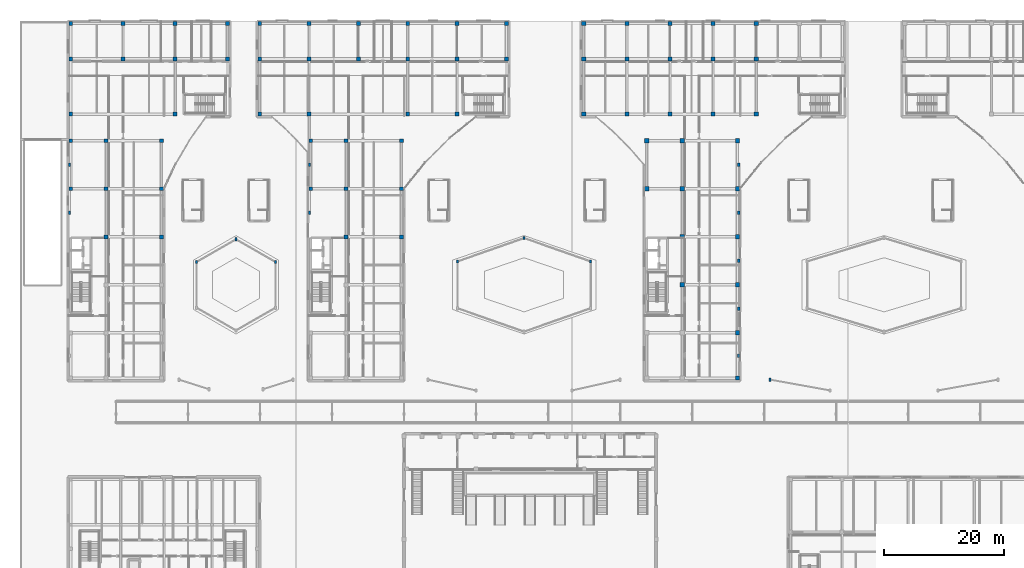
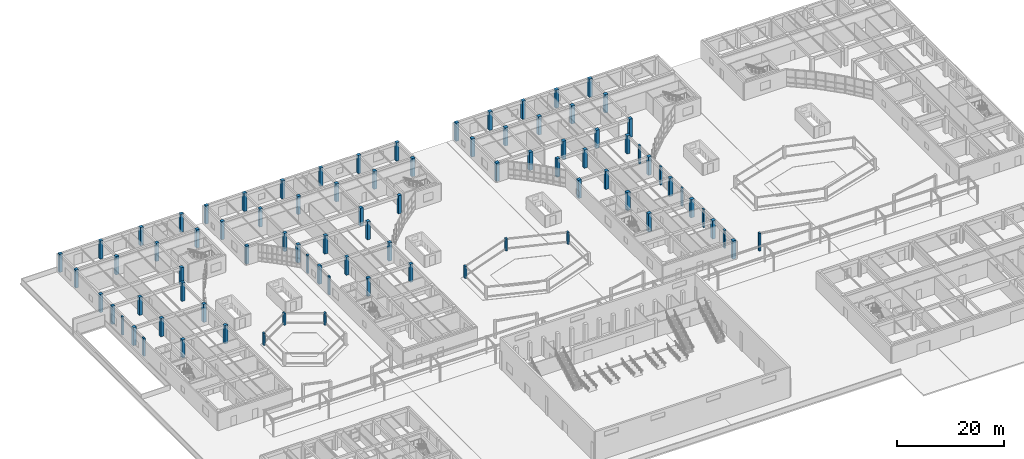
# One storey, part 9 of 114: 85 columns.
"""IFC4 building model written with IfcOpenShell, lengths in metres."""

from ifc_helpers import new_model, si_unit, direction, frame, origin, origin_2d, place, context, subcontext, project, spatial, rectangle, extrude, material, material_profile, profile_set, type_object, element, save


model = new_model("IFC4")

# Units and contexts
model_context = context("Model", 3, precision=1e-05, world=origin(), true_north=direction((0.0, 1.0)))
body_context = subcontext(model_context, "Body", "Model", "MODEL_VIEW")
ifc_project = project(units=[si_unit("LENGTHUNIT", "METRE"), si_unit("AREAUNIT", "SQUARE_METRE"), si_unit("VOLUMEUNIT", "CUBIC_METRE"), si_unit("PLANEANGLEUNIT", "RADIAN"), si_unit("MASSUNIT", "GRAM", prefix="KILO")], contexts=[model_context])

# Site, building, storey
site_placement = place(None, origin())
site = spatial("IfcSite", under=ifc_project, at=site_placement, CompositionType="ELEMENT")
building_placement = place(site_placement, origin())
building = spatial("IfcBuilding", under=site, at=building_placement, Name="Keldmere Railside Commons", CompositionType="ELEMENT")
storey_placement = place(building_placement, origin())
storey = spatial("IfcBuildingStorey", under=building, at=storey_placement, Name="L00", CompositionType="ELEMENT", Elevation=0.0)

# Columns
ifc_material_1 = material(Name="Architectural Precast Concrete H-35 (C35/45)", Category="concrete")
ifc_material_profile_1 = material_profile(ifc_material_1, rectangle(XDim=0.35009765625, YDim=0.550048828125, at=origin_2d()), Name="RC-350x550")
ifc_profile_set_1 = profile_set([ifc_material_profile_1], Name="Architectural Precast Concrete H-35 (C35/45)")
column_type_1 = type_object("IfcColumnType", Name="Facade Precast Pilaster Column 350x550", PredefinedType="PILASTER", material=ifc_profile_set_1)
for number, where, z_axis, x_axis, name in (
    (1, (8.219970703125, 84.0, 0.0), (0.0, 0.0, 1.0), (1.0, 0.0, 0.0), "C-PIL COL-L00-0015"),
    (2, (8.219970703125, 92.0, 0.0), (0.0, 0.0, 1.0), (1.0, 0.0, 0.0), "C-PIL COL-L00-0020"),
):
    element("IfcColumn", number, at=place(storey_placement, frame(where, z_axis=z_axis, x_axis=x_axis)), inside=storey, type_object=column_type_1, Name=name, PredefinedType="PILASTER", context=body_context, shape_type="SweptSolid", body=[
        extrude(rectangle(XDim=0.35009765625, YDim=0.550048828125, at=origin_2d()), origin(), (0.0, 0.0, 1.0), 4.159912109375),
    ])
for number, where, z_axis, x_axis, name in (
    (3, (29.41796875, 75.800048828125, 0.0), (0.0, 0.0, 1.0), (1.0, 0.0, 0.0), "C-PIL COL-L00-0285"),
    (4, (36.0, 79.60009765625, 0.0), (0.0, 0.0, 1.0), (1.0, 0.0, 0.0), "C-PIL COL-L00-0319"),
    (5, (42.58203125, 75.800048828125, 0.0), (0.0, 0.0, 1.0), (1.0, 0.0, 0.0), "C-PIL COL-L00-0375"),
):
    element("IfcColumn", number, at=place(storey_placement, frame(where, z_axis=z_axis, x_axis=x_axis)), inside=storey, type_object=column_type_1, Name=name, PredefinedType="PILASTER", context=body_context, shape_type="SweptSolid", body=[
        extrude(rectangle(XDim=0.35009765625, YDim=0.550048828125, at=origin_2d()), origin(), (0.0, 0.0, 1.0), 2.800048828125),
    ])
for number, where, z_axis, x_axis, name in (
    (6, (48.219970703125, 84.0, 0.0), (0.0, 0.0, 1.0), (1.0, 0.0, 0.0), "C-PIL COL-L00-0422"),
    (7, (48.219970703125, 92.0, 0.0), (0.0, 0.0, 1.0), (1.0, 0.0, 0.0), "C-PIL COL-L00-0427"),
):
    element("IfcColumn", number, at=place(storey_placement, frame(where, z_axis=z_axis, x_axis=x_axis)), inside=storey, type_object=column_type_1, Name=name, PredefinedType="PILASTER", context=body_context, shape_type="SweptSolid", body=[
        extrude(rectangle(XDim=0.35009765625, YDim=0.550048828125, at=origin_2d()), origin(), (0.0, 0.0, 1.0), 4.159912109375),
    ])
for number, where, z_axis, x_axis, name in (
    (8, (72.9150390625, 75.89990234375, 0.0), (0.0, 0.0, 1.0), (1.0, 0.0, 0.0), "C-PIL COL-L00-0718"),
    (9, (84.0, 79.800048828125, 0.0), (0.0, 0.0, 1.0), (1.0, 0.0, 0.0), "C-PIL COL-L00-0777"),
    (10, (95.0849609375, 75.89990234375, 0.0), (0.0, 0.0, 1.0), (1.0, 0.0, 0.0), "C-PIL COL-L00-0856"),
):
    element("IfcColumn", number, at=place(storey_placement, frame(where, z_axis=z_axis, x_axis=x_axis)), inside=storey, type_object=column_type_1, Name=name, PredefinedType="PILASTER", context=body_context, shape_type="SweptSolid", body=[
        extrude(rectangle(XDim=0.35009765625, YDim=0.550048828125, at=origin_2d()), origin(), (0.0, 0.0, 1.0), 2.800048828125),
    ])
for number, where, z_axis, x_axis, name in (
    (11, (119.780029296875, 60.199951171875, 0.0), (0.0, 0.0, 1.0), (1.0, 0.0, 0.0), "C-PIL COL-L00-1205"),
    (12, (119.780029296875, 68.0, 0.0), (0.0, 0.0, 1.0), (1.0, 0.0, 0.0), "C-PIL COL-L00-1210"),
    (13, (119.780029296875, 76.0, 0.0), (0.0, 0.0, 1.0), (1.0, 0.0, 0.0), "C-PIL COL-L00-1215"),
    (14, (119.780029296875, 84.0, 0.0), (0.0, 0.0, 1.0), (1.0, 0.0, 0.0), "C-PIL COL-L00-1220"),
    (15, (119.780029296875, 92.0, 0.0), (0.0, 0.0, 1.0), (1.0, 0.0, 0.0), "C-PIL COL-L00-1225"),
):
    element("IfcColumn", number, at=place(storey_placement, frame(where, z_axis=z_axis, x_axis=x_axis)), inside=storey, type_object=column_type_1, Name=name, PredefinedType="PILASTER", context=body_context, shape_type="SweptSolid", body=[
        extrude(rectangle(XDim=0.35009765625, YDim=0.550048828125, at=origin_2d()), origin(), (0.0, 0.0, 1.0), 4.159912109375),
    ])
column_placement = place(storey_placement, frame((125.0, 56.199951171875, 0.0), z_axis=(0.0, 0.0, 1.0), x_axis=(1.0, 0.0, 0.0)))
element("IfcColumn", 16, at=column_placement, inside=storey, type_object=column_type_1, Name="C-PIL COL-L00-1274", PredefinedType="PILASTER", context=body_context, shape_type="SweptSolid", body=[
    extrude(rectangle(XDim=0.35009765625, YDim=0.550048828125, at=origin_2d()), origin(), (0.0, 0.0, 1.0), 4.010009765625),
])
ifc_material_2 = material(Name="Concrete H-40 (C40/50)", Category="concrete")
ifc_material_profile_2 = material_profile(ifc_material_2, rectangle(XDim=0.699951171875, YDim=0.699951171875, at=origin_2d()), Name="RC-700x700")
ifc_profile_set_2 = profile_set([ifc_material_profile_2], Name="Concrete H-40 (C40/50)")
column_type_2 = type_object("IfcColumnType", Name="Lower Residential RC Column 700x700", PredefinedType="COLUMN", material=ifc_profile_set_2)
for number, where, z_axis, x_axis, name in (
    (17, (93.949951171875, 100.449951171875, 0.0), (0.0, 0.0, 1.0), (1.0, 0.0, 0.0), "C-700 COL-L00-0810"),
    (18, (93.949951171875, 109.64990234375, 0.0), (0.0, 0.0, 1.0), (1.0, 0.0, 0.0), "C-700 COL-L00-0824"),
    (19, (93.949951171875, 115.550048828125, 0.0), (0.0, 0.0, 1.0), (1.0, 0.0, 0.0), "C-700 COL-L00-0837"),
    (20, (101.133056640625, 100.449951171875, 0.0), (0.0, 0.0, 1.0), (1.0, 0.0, 0.0), "C-700 COL-L00-0879"),
    (21, (101.133056640625, 109.64990234375, 0.0), (0.0, 0.0, 1.0), (1.0, 0.0, 0.0), "C-700 COL-L00-0893"),
    (22, (101.133056640625, 115.550048828125, 0.0), (0.0, 0.0, 1.0), (1.0, 0.0, 0.0), "C-700 COL-L00-0906"),
    (23, (104.449951171875, 88.0, 0.0), (0.0, 0.0, 1.0), (1.0, 0.0, 0.0), "C-700 COL-L00-0942"),
    (24, (104.449951171875, 96.0, 0.0), (0.0, 0.0, 1.0), (1.0, 0.0, 0.0), "C-700 COL-L00-0955"),
    (25, (108.31689453125, 100.449951171875, 0.0), (0.0, 0.0, 1.0), (1.0, 0.0, 0.0), "C-700 COL-L00-0979"),
    (26, (108.31689453125, 109.64990234375, 0.0), (0.0, 0.0, 1.0), (1.0, 0.0, 0.0), "C-700 COL-L00-0993"),
    (27, (108.31689453125, 115.550048828125, 0.0), (0.0, 0.0, 1.0), (1.0, 0.0, 0.0), "C-700 COL-L00-1006"),
    (28, (110.35009765625, 72.0, 0.0), (0.0, 0.0, 1.0), (1.0, 0.0, 0.0), "C-700 COL-L00-1036"),
    (29, (110.35009765625, 80.0, 0.0), (0.0, 0.0, 1.0), (1.0, 0.0, 0.0), "C-700 COL-L00-1049"),
    (30, (110.35009765625, 88.0, 0.0), (0.0, 0.0, 1.0), (1.0, 0.0, 0.0), "C-700 COL-L00-1062"),
    (31, (110.35009765625, 96.0, 0.0), (0.0, 0.0, 1.0), (1.0, 0.0, 0.0), "C-700 COL-L00-1075"),
    (32, (115.5, 100.449951171875, 0.0), (0.0, 0.0, 1.0), (1.0, 0.0, 0.0), "C-700 COL-L00-1096"),
    (33, (115.5, 109.64990234375, 0.0), (0.0, 0.0, 1.0), (1.0, 0.0, 0.0), "C-700 COL-L00-1110"),
    (34, (115.5, 115.550048828125, 0.0), (0.0, 0.0, 1.0), (1.0, 0.0, 0.0), "C-700 COL-L00-1123"),
    (35, (119.550048828125, 56.449951171875, 0.0), (0.0, 0.0, 1.0), (1.0, 0.0, 0.0), "C-700 COL-L00-1132"),
    (36, (119.550048828125, 64.0, 0.0), (0.0, 0.0, 1.0), (1.0, 0.0, 0.0), "C-700 COL-L00-1141"),
    (37, (119.550048828125, 72.0, 0.0), (0.0, 0.0, 1.0), (1.0, 0.0, 0.0), "C-700 COL-L00-1153"),
    (38, (119.550048828125, 80.0, 0.0), (0.0, 0.0, 1.0), (1.0, 0.0, 0.0), "C-700 COL-L00-1166"),
    (39, (119.550048828125, 88.0, 0.0), (0.0, 0.0, 1.0), (1.0, 0.0, 0.0), "C-700 COL-L00-1179"),
    (40, (119.550048828125, 96.0, 0.0), (0.0, 0.0, 1.0), (1.0, 0.0, 0.0), "C-700 COL-L00-1192"),
    (41, (122.68310546875, 100.449951171875, 0.0), (0.0, 0.0, 1.0), (1.0, 0.0, 0.0), "C-700 COL-L00-1234"),
    (42, (122.68310546875, 109.64990234375, 0.0), (0.0, 0.0, 1.0), (1.0, 0.0, 0.0), "C-700 COL-L00-1248"),
    (43, (122.68310546875, 115.550048828125, 0.0), (0.0, 0.0, 1.0), (1.0, 0.0, 0.0), "C-700 COL-L00-1261"),
):
    element("IfcColumn", number, at=place(storey_placement, frame(where, z_axis=z_axis, x_axis=x_axis)), inside=storey, type_object=column_type_2, Name=name, PredefinedType="COLUMN", context=body_context, shape_type="SweptSolid", body=[
        extrude(rectangle(XDim=0.699951171875, YDim=0.699951171875, at=origin_2d()), origin(), (0.0, 0.0, 1.0), 4.159912109375),
    ])
ifc_material_profile_3 = material_profile(ifc_material_2, rectangle(XDim=0.64990234375, YDim=0.64990234375, at=origin_2d()), Name="RC-650x650")
ifc_profile_set_3 = profile_set([ifc_material_profile_3], Name="Concrete H-40 (C40/50)")
column_type_3 = type_object("IfcColumnType", Name="Podium RC Column 650x650", PredefinedType="COLUMN", material=ifc_profile_set_3)
for number, where, z_axis, x_axis, name in (
    (44, (8.449951171875, 88.0, 0.0), (0.0, 0.0, 1.0), (1.0, 0.0, 0.0), "C-650 COL-L00-0054"),
    (45, (8.449951171875, 96.0, 0.0), (0.0, 0.0, 1.0), (1.0, 0.0, 0.0), "C-650 COL-L00-0063"),
    (46, (8.449951171875, 100.449951171875, 0.0), (0.0, 0.0, 1.0), (1.0, 0.0, 0.0), "C-650 COL-L00-0072"),
    (47, (8.449951171875, 109.64990234375, 0.0), (0.0, 0.0, 1.0), (1.0, 0.0, 0.0), "C-650 COL-L00-0082"),
    (48, (8.449951171875, 115.550048828125, 0.0), (0.0, 0.0, 1.0), (1.0, 0.0, 0.0), "C-650 COL-L00-0091"),
    (49, (14.35009765625, 80.0, 0.0), (0.0, 0.0, 1.0), (1.0, 0.0, 0.0), "C-650 COL-L00-0121"),
    (50, (14.35009765625, 88.0, 0.0), (0.0, 0.0, 1.0), (1.0, 0.0, 0.0), "C-650 COL-L00-0130"),
    (51, (14.35009765625, 96.0, 0.0), (0.0, 0.0, 1.0), (1.0, 0.0, 0.0), "C-650 COL-L00-0139"),
    (52, (17.14990234375, 109.64990234375, 0.0), (0.0, 0.0, 1.0), (1.0, 0.0, 0.0), "C-650 COL-L00-0166"),
    (53, (17.14990234375, 115.550048828125, 0.0), (0.0, 0.0, 1.0), (1.0, 0.0, 0.0), "C-650 COL-L00-0175"),
    (54, (23.550048828125, 80.0, 0.0), (0.0, 0.0, 1.0), (1.0, 0.0, 0.0), "C-650 COL-L00-0208"),
    (55, (23.550048828125, 88.0, 0.0), (0.0, 0.0, 1.0), (1.0, 0.0, 0.0), "C-650 COL-L00-0217"),
    (56, (23.550048828125, 96.0, 0.0), (0.0, 0.0, 1.0), (1.0, 0.0, 0.0), "C-650 COL-L00-0226"),
    (57, (25.85009765625, 100.449951171875, 0.0), (0.0, 0.0, 1.0), (1.0, 0.0, 0.0), "C-650 COL-L00-0247"),
    (58, (25.85009765625, 109.64990234375, 0.0), (0.0, 0.0, 1.0), (1.0, 0.0, 0.0), "C-650 COL-L00-0257"),
    (59, (25.85009765625, 115.550048828125, 0.0), (0.0, 0.0, 1.0), (1.0, 0.0, 0.0), "C-650 COL-L00-0266"),
    (60, (34.550048828125, 109.64990234375, 0.0), (0.0, 0.0, 1.0), (1.0, 0.0, 0.0), "C-650 COL-L00-0301"),
    (61, (34.550048828125, 115.550048828125, 0.0), (0.0, 0.0, 1.0), (1.0, 0.0, 0.0), "C-650 COL-L00-0310"),
    (62, (39.949951171875, 100.449951171875, 0.0), (0.0, 0.0, 1.0), (1.0, 0.0, 0.0), "C-650 COL-L00-0336"),
    (63, (39.949951171875, 109.64990234375, 0.0), (0.0, 0.0, 1.0), (1.0, 0.0, 0.0), "C-650 COL-L00-0348"),
    (64, (39.949951171875, 115.550048828125, 0.0), (0.0, 0.0, 1.0), (1.0, 0.0, 0.0), "C-650 COL-L00-0359"),
    (65, (48.169921875, 100.449951171875, 0.0), (0.0, 0.0, 1.0), (1.0, 0.0, 0.0), "C-650 COL-L00-0386"),
    (66, (48.169921875, 109.64990234375, 0.0), (0.0, 0.0, 1.0), (1.0, 0.0, 0.0), "C-650 COL-L00-0398"),
    (67, (48.169921875, 115.550048828125, 0.0), (0.0, 0.0, 1.0), (1.0, 0.0, 0.0), "C-650 COL-L00-0409"),
    (68, (48.449951171875, 88.0, 0.0), (0.0, 0.0, 1.0), (1.0, 0.0, 0.0), "C-650 COL-L00-0449"),
    (69, (48.449951171875, 96.0, 0.0), (0.0, 0.0, 1.0), (1.0, 0.0, 0.0), "C-650 COL-L00-0460"),
    (70, (54.35009765625, 80.0, 0.0), (0.0, 0.0, 1.0), (1.0, 0.0, 0.0), "C-650 COL-L00-0506"),
    (71, (54.35009765625, 88.0, 0.0), (0.0, 0.0, 1.0), (1.0, 0.0, 0.0), "C-650 COL-L00-0517"),
    (72, (54.35009765625, 96.0, 0.0), (0.0, 0.0, 1.0), (1.0, 0.0, 0.0), "C-650 COL-L00-0528"),
    (73, (56.389892578125, 109.64990234375, 0.0), (0.0, 0.0, 1.0), (1.0, 0.0, 0.0), "C-650 COL-L00-0540"),
    (74, (56.389892578125, 115.550048828125, 0.0), (0.0, 0.0, 1.0), (1.0, 0.0, 0.0), "C-650 COL-L00-0551"),
    (75, (63.550048828125, 80.0, 0.0), (0.0, 0.0, 1.0), (1.0, 0.0, 0.0), "C-650 COL-L00-0592"),
    (76, (63.550048828125, 88.0, 0.0), (0.0, 0.0, 1.0), (1.0, 0.0, 0.0), "C-650 COL-L00-0603"),
    (77, (63.550048828125, 96.0, 0.0), (0.0, 0.0, 1.0), (1.0, 0.0, 0.0), "C-650 COL-L00-0614"),
    (78, (64.610107421875, 100.449951171875, 0.0), (0.0, 0.0, 1.0), (1.0, 0.0, 0.0), "C-650 COL-L00-0640"),
    (79, (64.610107421875, 109.64990234375, 0.0), (0.0, 0.0, 1.0), (1.0, 0.0, 0.0), "C-650 COL-L00-0652"),
    (80, (64.610107421875, 115.550048828125, 0.0), (0.0, 0.0, 1.0), (1.0, 0.0, 0.0), "C-650 COL-L00-0663"),
    (81, (72.830078125, 100.449951171875, 0.0), (0.0, 0.0, 1.0), (1.0, 0.0, 0.0), "C-650 COL-L00-0685"),
    (82, (72.830078125, 109.64990234375, 0.0), (0.0, 0.0, 1.0), (1.0, 0.0, 0.0), "C-650 COL-L00-0697"),
    (83, (72.830078125, 115.550048828125, 0.0), (0.0, 0.0, 1.0), (1.0, 0.0, 0.0), "C-650 COL-L00-0708"),
    (84, (81.050048828125, 109.64990234375, 0.0), (0.0, 0.0, 1.0), (1.0, 0.0, 0.0), "C-650 COL-L00-0750"),
    (85, (81.050048828125, 115.550048828125, 0.0), (0.0, 0.0, 1.0), (1.0, 0.0, 0.0), "C-650 COL-L00-0761"),
):
    element("IfcColumn", number, at=place(storey_placement, frame(where, z_axis=z_axis, x_axis=x_axis)), inside=storey, type_object=column_type_3, Name=name, PredefinedType="COLUMN", context=body_context, shape_type="SweptSolid", body=[
        extrude(rectangle(XDim=0.64990234375, YDim=0.64990234375, at=origin_2d()), origin(), (0.0, 0.0, 1.0), 4.159912109375),
    ])

save(model, "model.ifc")
